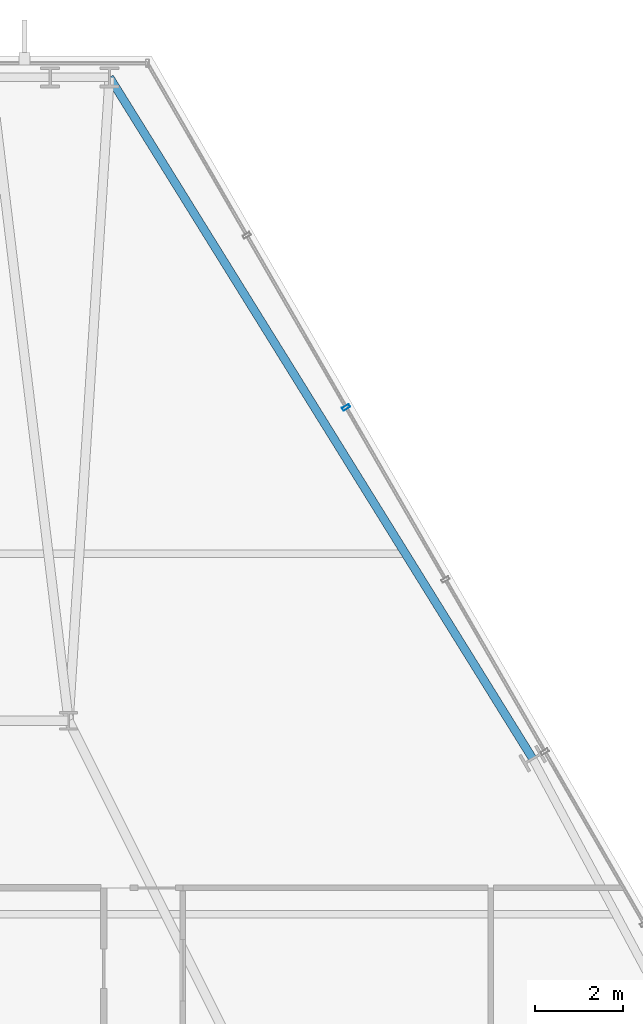
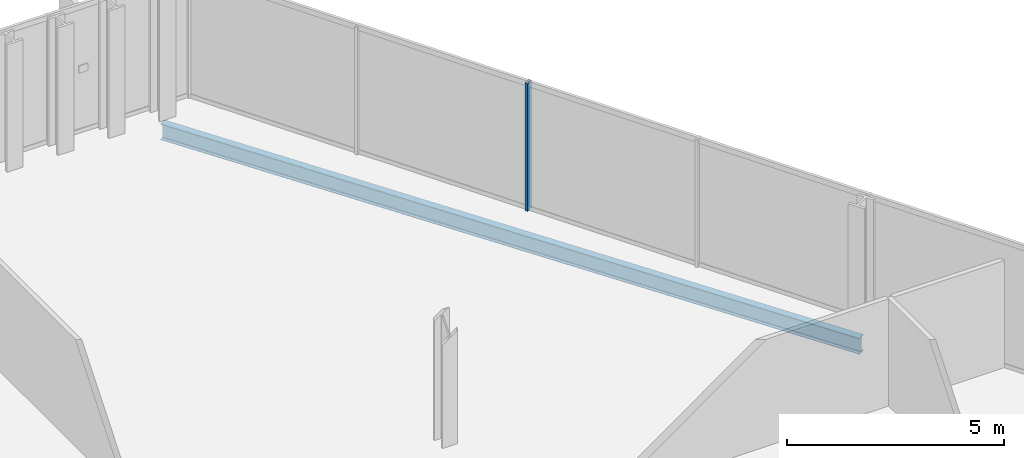
# One storey, part 24 of 33: 1 beam, 1 member, 1 element without a shape of its own.
"""IFC4 building model written with IfcOpenShell, lengths in metres."""

import ifcopenshell
import ifcopenshell.guid

model = None  # the IFC model being written
_history = None  # IfcOwnerHistory: only IFC2X3 demands one
_inside = {}  # id of a spatial element -> (the spatial element, [elements in it])
_under = {}  # id of a project, library or spatial element -> (it, [spatial elements below it])
_declared = {}  # id of a project -> (the project, [libraries it declares])
_typed = {}  # id of a type object -> (the type object, [elements of that type])
_made_of = {}  # id of a material, layer set ... -> (it, [elements and type objects made of it])


def new_model(schema):
    """Start an empty IFC model of exactly this schema.

    Asked for "IFC4X3", IfcOpenShell would pick the latest addendum, in which some entities
    have other attributes; the version numbers below select the first issue.
    IFC2X3 requires an IfcOwnerHistory on every rooted entity: one is made here for all.
    """
    global model, _history
    if schema == "IFC4X3":
        model = ifcopenshell.file(schema_version=(4, 3, 0, 0))
    else:
        model = ifcopenshell.file(schema=schema)
    _inside.clear()
    _under.clear()
    _declared.clear()
    _typed.clear()
    _made_of.clear()
    _history = None
    if model.schema == "IFC2X3":
        org = make("IfcOrganization", Name="unknown")
        user = make(
            "IfcPersonAndOrganization",
            ThePerson=make("IfcPerson", FamilyName="unknown"),
            TheOrganization=org,
        )
        app = make(
            "IfcApplication",
            ApplicationDeveloper=org,
            Version="unknown",
            ApplicationFullName="unknown",
            ApplicationIdentifier="unknown",
        )
        _history = make(
            "IfcOwnerHistory",
            OwningUser=user,
            OwningApplication=app,
            ChangeAction="ADDED",
            CreationDate=0,
        )
    return model


def make(cls, **values):
    """One entity of the class cls with the attributes given. An attribute that is None is left unset."""
    return model.create_entity(
        cls, **{name: value for name, value in values.items() if value is not None}
    )


def rooted(cls, **values):
    """An entity with a GlobalId (a new one), such as an element, a storey or a relation."""
    return make(cls, GlobalId=ifcopenshell.guid.new(), OwnerHistory=_history, **values)


def si_unit(unit_type, name, prefix=None):
    """IfcSIUnit, for example si_unit("LENGTHUNIT", "METRE", prefix="MILLI")."""
    return make("IfcSIUnit", UnitType=unit_type, Prefix=prefix, Name=name)


def assignment(units):
    """IfcUnitAssignment: the units of a project."""
    return None if units is None else make("IfcUnitAssignment", Units=units)


def point(xyz):
    """IfcCartesianPoint."""
    return None if xyz is None else make("IfcCartesianPoint", Coordinates=xyz)


def direction(xyz):
    """IfcDirection."""
    return None if xyz is None else make("IfcDirection", DirectionRatios=xyz)


def frame(location, z_axis=None, x_axis=None):
    """IfcAxis2Placement3D, a coordinate frame: its origin and axes. An axis left out is left unset."""
    return make(
        "IfcAxis2Placement3D",
        Location=point(location),
        Axis=direction(z_axis),
        RefDirection=direction(x_axis),
    )


def frame_2d(location, x_axis=None):
    """IfcAxis2Placement2D, a coordinate frame in the plane: its origin and x axis."""
    return make(
        "IfcAxis2Placement2D", Location=point(location), RefDirection=direction(x_axis)
    )


def origin():
    """The frame at (0, 0, 0) with its axes left unset."""
    return frame((0.0, 0.0, 0.0))


def origin_2d():
    """The frame at (0, 0) in the plane with its x axis left unset."""
    return frame_2d((0.0, 0.0))


def place(relative_to, where):
    """IfcLocalPlacement: puts the frame where relative to a parent placement (None: the world)."""
    return make(
        "IfcLocalPlacement", PlacementRelTo=relative_to, RelativePlacement=where
    )


def context(
    kind, dimensions, precision=None, world=None, true_north=None, identifier=None
):
    """IfcGeometricRepresentationContext, for example the 3D "Model" context."""
    return make(
        "IfcGeometricRepresentationContext",
        ContextIdentifier=identifier,
        ContextType=kind,
        CoordinateSpaceDimension=dimensions,
        Precision=precision,
        WorldCoordinateSystem=world,
        TrueNorth=true_north,
    )


def subcontext(parent, identifier, kind, view, scale=None):
    """IfcGeometricRepresentationSubContext, for example "Body" below "Model"."""
    return make(
        "IfcGeometricRepresentationSubContext",
        ContextIdentifier=identifier,
        ContextType=kind,
        ParentContext=parent,
        TargetScale=scale,
        TargetView=view,
    )


def project(units=None, contexts=None):
    """IfcProject with its units and contexts."""
    return rooted(
        "IfcProject",
        Name="project",
        RepresentationContexts=contexts,
        UnitsInContext=assignment(units),
    )


def spatial(cls, under=None, at=None, **own):
    """A site, building, storey or space (cls), placed at a placement, below another one or the project."""
    s = rooted(cls, ObjectPlacement=at, **own)
    if under is not None:
        _under.setdefault(under.id(), (under, []))[1].append(s)
    return s


def profile(cls, at=None, kind="AREA", **sizes):
    """A parametric profile (cls). Its sizes go by their IFC names, for example OverallWidth=200.0."""
    return make(cls, ProfileType=kind, Position=at, **sizes)


def hollow_rectangle(**sizes):
    """IfcRectangleHollowProfileDef."""
    return profile("IfcRectangleHollowProfileDef", **sizes)


def i_section(**sizes):
    """IfcIShapeProfileDef."""
    return profile("IfcIShapeProfileDef", **sizes)


def extrude(swept, where, along, depth):
    """IfcExtrudedAreaSolid: the profile swept, set in the frame where, extruded along a direction by depth."""
    return make(
        "IfcExtrudedAreaSolid",
        SweptArea=swept,
        Position=where,
        ExtrudedDirection=direction(along),
        Depth=depth,
    )


def shape(context_of_items, identifier, shape_type, items):
    """IfcShapeRepresentation: the items that make up one representation, for example the "Body"."""
    return make(
        "IfcShapeRepresentation",
        ContextOfItems=context_of_items,
        RepresentationIdentifier=identifier,
        RepresentationType=shape_type,
        Items=items,
    )


def material(Name=None, Category=None):
    """IfcMaterial."""
    return make("IfcMaterial", Name=Name, Category=Category)


def layer(
    of_material, thickness, ventilated=None, Name=None, Category=None, Priority=None
):
    """IfcMaterialLayer: one layer of a wall or slab, of a material (None: an air gap)."""
    return make(
        "IfcMaterialLayer",
        Material=of_material,
        LayerThickness=thickness,
        IsVentilated=ventilated,
        Name=Name,
        Category=Category,
        Priority=Priority,
    )


def layer_set(layers, Name=None):
    """IfcMaterialLayerSet."""
    return make("IfcMaterialLayerSet", MaterialLayers=layers, LayerSetName=Name)


def material_profile(
    of_material, cross_section, Name=None, Category=None, Priority=None
):
    """IfcMaterialProfile: a cross section and its material."""
    return make(
        "IfcMaterialProfile",
        Name=Name,
        Material=of_material,
        Profile=cross_section,
        Priority=Priority,
        Category=Category,
    )


def profile_set(profiles, Name=None, composite=None):
    """IfcMaterialProfileSet."""
    return make(
        "IfcMaterialProfileSet",
        Name=Name,
        MaterialProfiles=profiles,
        CompositeProfile=composite,
    )


def made_of(thing, what):
    """Note that an element or type object is made of a material, layer set ...; save() writes the relation."""
    if what is not None:
        _made_of.setdefault(what.id(), (what, []))[1].append(thing)
    return thing


def type_object(cls, material=None, **own):
    """A type object (cls), such as IfcWallType, which elements share."""
    return made_of(rooted(cls, **own), material)


def element(
    cls,
    number,
    at=None,
    inside=None,
    cuts=None,
    type_object=None,
    material=None,
    context=None,
    identifier="Body",
    shape_type=None,
    held_by="IfcProductDefinitionShape",
    body=None,
    shapes=None,
    **own,
):
    """One element of the class cls, such as IfcWall. Its Tag is "e" and its number.

    at: its placement. inside: the storey or other place that contains it. cuts: it is an
    opening in that element (IfcRelVoidsElement). A single representation is given by context,
    identifier, shape_type and body (its items); several are given by shapes. held_by: the class
    of the entity that holds the representations. save() writes the other relations.
    """
    e = rooted(cls, Tag="e%d" % number, ObjectPlacement=at, **own)
    if body is not None:
        shapes = [shape(context, identifier, shape_type, body)]
    if shapes is not None:
        e.Representation = make(held_by, Representations=shapes)
    if inside is not None:
        _inside.setdefault(inside.id(), (inside, []))[1].append(e)
    if cuts is not None:
        rooted(
            "IfcRelVoidsElement", RelatingBuildingElement=cuts, RelatedOpeningElement=e
        )
    if type_object is not None:
        _typed.setdefault(type_object.id(), (type_object, []))[1].append(e)
    return made_of(e, material)


def aggregate(whole, parts):
    """IfcRelAggregates: a whole, such as a stair, and the parts it consists of."""
    return rooted("IfcRelAggregates", RelatingObject=whole, RelatedObjects=parts)


def save(model, path):
    """Write the relations noted so far, then the file.

    IfcRelAggregates (storeys below a building ...), IfcRelContainedInSpatialStructure (elements
    in a storey), IfcRelDefinesByType, IfcRelAssociatesMaterial and IfcRelDeclares: one each for
    every whole, place, type object, material and project.
    """
    for whole, parts in _under.values():
        aggregate(whole, parts)
    for where, things in _inside.values():
        rooted(
            "IfcRelContainedInSpatialStructure",
            RelatedElements=things,
            RelatingStructure=where,
        )
    for kind, things in _typed.values():
        rooted("IfcRelDefinesByType", RelatedObjects=things, RelatingType=kind)
    for what, things in _made_of.values():
        rooted("IfcRelAssociatesMaterial", RelatedObjects=things, RelatingMaterial=what)
    for by, libraries in _declared.values():
        rooted("IfcRelDeclares", RelatingContext=by, RelatedDefinitions=libraries)
    model.write(path)


model = new_model("IFC4")

# Units and contexts
model_context = context("Model", 3, precision=1e-05, world=origin(), true_north=direction((0.0, 1.0)))
body_context = subcontext(model_context, "Body", "Model", "MODEL_VIEW")
ifc_project = project(units=[si_unit("LENGTHUNIT", "METRE"), si_unit("AREAUNIT", "SQUARE_METRE"), si_unit("VOLUMEUNIT", "CUBIC_METRE"), si_unit("PLANEANGLEUNIT", "RADIAN"), si_unit("MASSUNIT", "GRAM", prefix="KILO")], contexts=[model_context])

# Site, building, storey
site_placement = place(None, origin())
site = spatial("IfcSite", under=ifc_project, at=site_placement, CompositionType="ELEMENT")
building_placement = place(site_placement, origin())
building = spatial("IfcBuilding", under=site, at=building_placement, Name="Ndaravel Arena Tower", CompositionType="ELEMENT")
storey_placement = place(building_placement, frame((0.0, 0.0, 153.60009765625)))
storey = spatial("IfcBuildingStorey", under=building, at=storey_placement, Name="L36", CompositionType="ELEMENT", Elevation=153.60009765625)

# Beam
ifc_material_1 = material(Name="Steel S355", Category="steel")
ifc_material_profile_1 = material_profile(ifc_material_1, i_section(OverallWidth=0.18994140625, OverallDepth=0.449951171875, WebThickness=0.009521484375, FlangeThickness=0.0146484375, FilletRadius=0.02099609375, at=origin_2d()), Name="IPE 450")
ifc_profile_set_1 = profile_set([ifc_material_profile_1], Name="Steel S355")
beam_type = type_object("IfcBeamType", Name="BM-SPAN-IPE450", PredefinedType="SPANDREL", material=ifc_profile_set_1)
beam_placement = place(storey_placement, frame((56.352783203125, 30.339599609375, -0.445068359375), z_axis=(-0.52754211898, 0.849528876909, 0.0), x_axis=(-0.849528876909, -0.52754211898, 0.0)))
element("IfcBeam", 1, at=beam_placement, inside=storey, type_object=beam_type, Name="L36 Perimeter Spandrel Beam SP-10", PredefinedType="SPANDREL", context=body_context, shape_type="SweptSolid", body=[
    extrude(i_section(OverallWidth=0.18994140625, OverallDepth=0.449951171875, WebThickness=0.009521484375, FlangeThickness=0.0146484375, FilletRadius=0.02099609375, at=origin_2d()), origin(), (0.0, 0.0, 1.0), 18.238525390625),
])

# Curtain wall, member
ifc_material_2 = material(Name="Aluminium", Category="aluminium")
ifc_layer = layer(ifc_material_2, 0.179931640625)
ifc_layer_set = layer_set([ifc_layer], Name="Aluminium")
curtain_wall_type = type_object("IfcCurtainWallType", Name="CW-SYS-03", PredefinedType="NOTDEFINED", material=ifc_layer_set)
curtain_wall_placement = place(storey_placement, origin())
curtain_wall = element("IfcCurtainWall", 2, at=curtain_wall_placement, inside=storey, type_object=curtain_wall_type, Name="L36 Faceted Crystal Curtain Wall CW-L36-E03", PredefinedType="NOTDEFINED")
ifc_material_3 = material(Name="Aluminium", Category="aluminium")
ifc_material_profile_2 = material_profile(ifc_material_3, hollow_rectangle(XDim=0.074951171875, YDim=0.179931640625, WallThickness=0.00390625, at=origin_2d()), Name="CW MULLION 75x180x4")
ifc_profile_set_2 = profile_set([ifc_material_profile_2], Name="Aluminium")
member_type = type_object("IfcMemberType", Name="MEM-CW-MUL180", PredefinedType="MULLION", material=ifc_profile_set_2)
member_placement = place(storey_placement, frame((52.11083984375, 38.32666015625, 0.0), z_axis=(0.0, 0.0, 1.0), x_axis=(-0.5, 0.866025403784, 0.0)))
member = element("IfcMember", 3, at=member_placement, type_object=member_type, Name="CW-L36-E03 Mullion 06", PredefinedType="MULLION", context=body_context, shape_type="SweptSolid", body=[
    extrude(hollow_rectangle(XDim=0.074951171875, YDim=0.179931640625, WallThickness=0.00390625, at=origin_2d()), origin(), (0.0, 0.0, 1.0), 3.579833984375),
])
aggregate(curtain_wall, [member])

save(model, "model.ifc")
